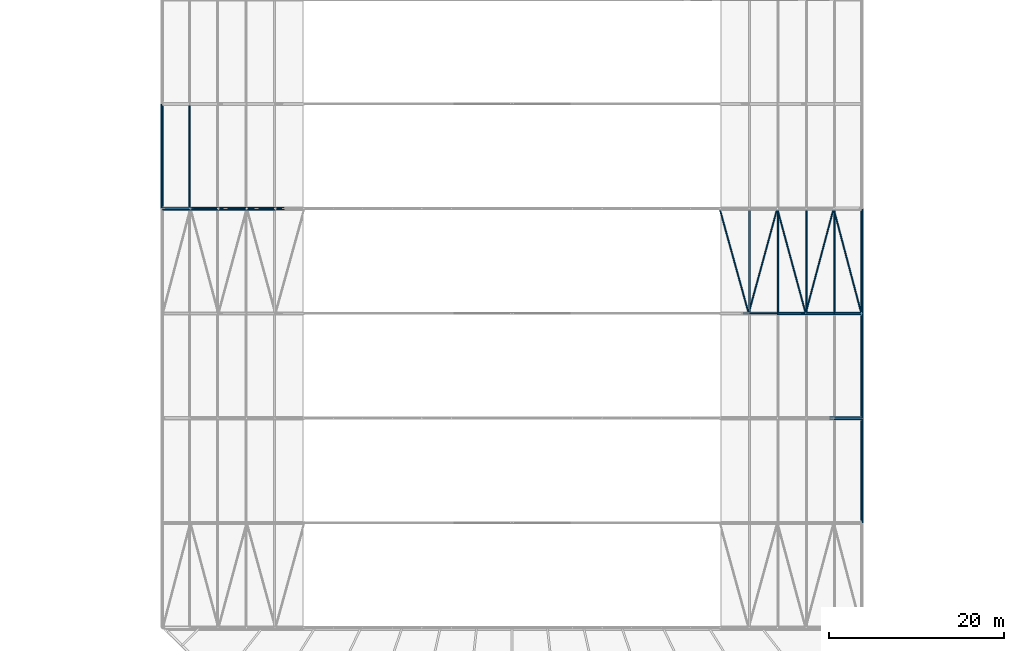
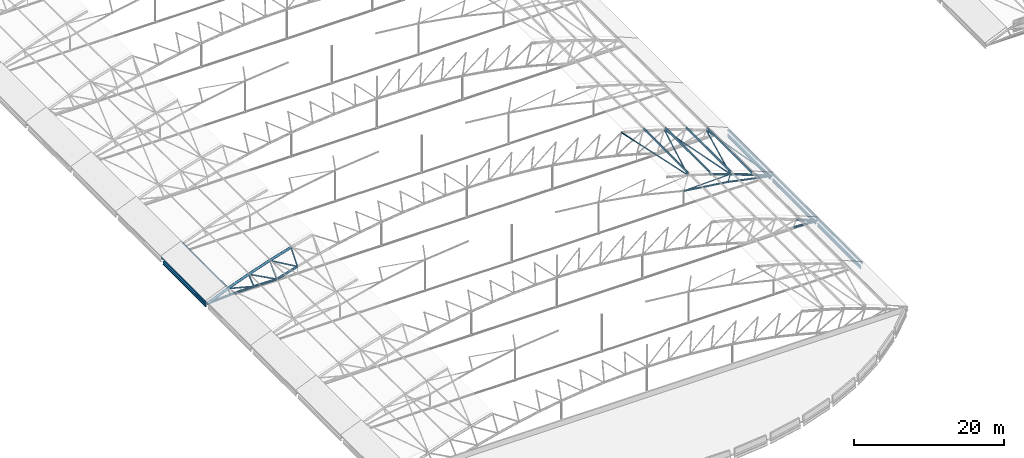
# One storey, part 53 of 321: 38 members, 4 beams.
"""IFC4 building model written with IfcOpenShell, lengths in metres."""

import ifcopenshell
import ifcopenshell.guid

model = None  # the IFC model being written
_history = None  # IfcOwnerHistory: only IFC2X3 demands one
_inside = {}  # id of a spatial element -> (the spatial element, [elements in it])
_under = {}  # id of a project, library or spatial element -> (it, [spatial elements below it])
_declared = {}  # id of a project -> (the project, [libraries it declares])
_typed = {}  # id of a type object -> (the type object, [elements of that type])
_made_of = {}  # id of a material, layer set ... -> (it, [elements and type objects made of it])


def new_model(schema):
    """Start an empty IFC model of exactly this schema.

    Asked for "IFC4X3", IfcOpenShell would pick the latest addendum, in which some entities
    have other attributes; the version numbers below select the first issue.
    IFC2X3 requires an IfcOwnerHistory on every rooted entity: one is made here for all.
    """
    global model, _history
    if schema == "IFC4X3":
        model = ifcopenshell.file(schema_version=(4, 3, 0, 0))
    else:
        model = ifcopenshell.file(schema=schema)
    _inside.clear()
    _under.clear()
    _declared.clear()
    _typed.clear()
    _made_of.clear()
    _history = None
    if model.schema == "IFC2X3":
        org = make("IfcOrganization", Name="unknown")
        user = make(
            "IfcPersonAndOrganization",
            ThePerson=make("IfcPerson", FamilyName="unknown"),
            TheOrganization=org,
        )
        app = make(
            "IfcApplication",
            ApplicationDeveloper=org,
            Version="unknown",
            ApplicationFullName="unknown",
            ApplicationIdentifier="unknown",
        )
        _history = make(
            "IfcOwnerHistory",
            OwningUser=user,
            OwningApplication=app,
            ChangeAction="ADDED",
            CreationDate=0,
        )
    return model


def make(cls, **values):
    """One entity of the class cls with the attributes given. An attribute that is None is left unset."""
    return model.create_entity(
        cls, **{name: value for name, value in values.items() if value is not None}
    )


def rooted(cls, **values):
    """An entity with a GlobalId (a new one), such as an element, a storey or a relation."""
    return make(cls, GlobalId=ifcopenshell.guid.new(), OwnerHistory=_history, **values)


def si_unit(unit_type, name, prefix=None):
    """IfcSIUnit, for example si_unit("LENGTHUNIT", "METRE", prefix="MILLI")."""
    return make("IfcSIUnit", UnitType=unit_type, Prefix=prefix, Name=name)


def assignment(units):
    """IfcUnitAssignment: the units of a project."""
    return None if units is None else make("IfcUnitAssignment", Units=units)


def point(xyz):
    """IfcCartesianPoint."""
    return None if xyz is None else make("IfcCartesianPoint", Coordinates=xyz)


def direction(xyz):
    """IfcDirection."""
    return None if xyz is None else make("IfcDirection", DirectionRatios=xyz)


def frame(location, z_axis=None, x_axis=None):
    """IfcAxis2Placement3D, a coordinate frame: its origin and axes. An axis left out is left unset."""
    return make(
        "IfcAxis2Placement3D",
        Location=point(location),
        Axis=direction(z_axis),
        RefDirection=direction(x_axis),
    )


def frame_2d(location, x_axis=None):
    """IfcAxis2Placement2D, a coordinate frame in the plane: its origin and x axis."""
    return make(
        "IfcAxis2Placement2D", Location=point(location), RefDirection=direction(x_axis)
    )


def origin():
    """The frame at (0, 0, 0) with its axes left unset."""
    return frame((0.0, 0.0, 0.0))


def origin_2d():
    """The frame at (0, 0) in the plane with its x axis left unset."""
    return frame_2d((0.0, 0.0))


def place(relative_to, where):
    """IfcLocalPlacement: puts the frame where relative to a parent placement (None: the world)."""
    return make(
        "IfcLocalPlacement", PlacementRelTo=relative_to, RelativePlacement=where
    )


def context(
    kind, dimensions, precision=None, world=None, true_north=None, identifier=None
):
    """IfcGeometricRepresentationContext, for example the 3D "Model" context."""
    return make(
        "IfcGeometricRepresentationContext",
        ContextIdentifier=identifier,
        ContextType=kind,
        CoordinateSpaceDimension=dimensions,
        Precision=precision,
        WorldCoordinateSystem=world,
        TrueNorth=true_north,
    )


def subcontext(parent, identifier, kind, view, scale=None):
    """IfcGeometricRepresentationSubContext, for example "Body" below "Model"."""
    return make(
        "IfcGeometricRepresentationSubContext",
        ContextIdentifier=identifier,
        ContextType=kind,
        ParentContext=parent,
        TargetScale=scale,
        TargetView=view,
    )


def project(units=None, contexts=None):
    """IfcProject with its units and contexts."""
    return rooted(
        "IfcProject",
        Name="project",
        RepresentationContexts=contexts,
        UnitsInContext=assignment(units),
    )


def spatial(cls, under=None, at=None, **own):
    """A site, building, storey or space (cls), placed at a placement, below another one or the project."""
    s = rooted(cls, ObjectPlacement=at, **own)
    if under is not None:
        _under.setdefault(under.id(), (under, []))[1].append(s)
    return s


def profile(cls, at=None, kind="AREA", **sizes):
    """A parametric profile (cls). Its sizes go by their IFC names, for example OverallWidth=200.0."""
    return make(cls, ProfileType=kind, Position=at, **sizes)


def hollow_circle(**sizes):
    """IfcCircleHollowProfileDef."""
    return profile("IfcCircleHollowProfileDef", **sizes)


def i_section(**sizes):
    """IfcIShapeProfileDef."""
    return profile("IfcIShapeProfileDef", **sizes)


def extrude(swept, where, along, depth):
    """IfcExtrudedAreaSolid: the profile swept, set in the frame where, extruded along a direction by depth."""
    return make(
        "IfcExtrudedAreaSolid",
        SweptArea=swept,
        Position=where,
        ExtrudedDirection=direction(along),
        Depth=depth,
    )


def shape(context_of_items, identifier, shape_type, items):
    """IfcShapeRepresentation: the items that make up one representation, for example the "Body"."""
    return make(
        "IfcShapeRepresentation",
        ContextOfItems=context_of_items,
        RepresentationIdentifier=identifier,
        RepresentationType=shape_type,
        Items=items,
    )


def material(Name=None, Category=None):
    """IfcMaterial."""
    return make("IfcMaterial", Name=Name, Category=Category)


def material_profile(
    of_material, cross_section, Name=None, Category=None, Priority=None
):
    """IfcMaterialProfile: a cross section and its material."""
    return make(
        "IfcMaterialProfile",
        Name=Name,
        Material=of_material,
        Profile=cross_section,
        Priority=Priority,
        Category=Category,
    )


def profile_set(profiles, Name=None, composite=None):
    """IfcMaterialProfileSet."""
    return make(
        "IfcMaterialProfileSet",
        Name=Name,
        MaterialProfiles=profiles,
        CompositeProfile=composite,
    )


def made_of(thing, what):
    """Note that an element or type object is made of a material, layer set ...; save() writes the relation."""
    if what is not None:
        _made_of.setdefault(what.id(), (what, []))[1].append(thing)
    return thing


def type_object(cls, material=None, **own):
    """A type object (cls), such as IfcWallType, which elements share."""
    return made_of(rooted(cls, **own), material)


def element(
    cls,
    number,
    at=None,
    inside=None,
    cuts=None,
    type_object=None,
    material=None,
    context=None,
    identifier="Body",
    shape_type=None,
    held_by="IfcProductDefinitionShape",
    body=None,
    shapes=None,
    **own,
):
    """One element of the class cls, such as IfcWall. Its Tag is "e" and its number.

    at: its placement. inside: the storey or other place that contains it. cuts: it is an
    opening in that element (IfcRelVoidsElement). A single representation is given by context,
    identifier, shape_type and body (its items); several are given by shapes. held_by: the class
    of the entity that holds the representations. save() writes the other relations.
    """
    e = rooted(cls, Tag="e%d" % number, ObjectPlacement=at, **own)
    if body is not None:
        shapes = [shape(context, identifier, shape_type, body)]
    if shapes is not None:
        e.Representation = make(held_by, Representations=shapes)
    if inside is not None:
        _inside.setdefault(inside.id(), (inside, []))[1].append(e)
    if cuts is not None:
        rooted(
            "IfcRelVoidsElement", RelatingBuildingElement=cuts, RelatedOpeningElement=e
        )
    if type_object is not None:
        _typed.setdefault(type_object.id(), (type_object, []))[1].append(e)
    return made_of(e, material)


def aggregate(whole, parts):
    """IfcRelAggregates: a whole, such as a stair, and the parts it consists of."""
    return rooted("IfcRelAggregates", RelatingObject=whole, RelatedObjects=parts)


def save(model, path):
    """Write the relations noted so far, then the file.

    IfcRelAggregates (storeys below a building ...), IfcRelContainedInSpatialStructure (elements
    in a storey), IfcRelDefinesByType, IfcRelAssociatesMaterial and IfcRelDeclares: one each for
    every whole, place, type object, material and project.
    """
    for whole, parts in _under.values():
        aggregate(whole, parts)
    for where, things in _inside.values():
        rooted(
            "IfcRelContainedInSpatialStructure",
            RelatedElements=things,
            RelatingStructure=where,
        )
    for kind, things in _typed.values():
        rooted("IfcRelDefinesByType", RelatedObjects=things, RelatingType=kind)
    for what, things in _made_of.values():
        rooted("IfcRelAssociatesMaterial", RelatedObjects=things, RelatingMaterial=what)
    for by, libraries in _declared.values():
        rooted("IfcRelDeclares", RelatingContext=by, RelatedDefinitions=libraries)
    model.write(path)


model = new_model("IFC4")

# Units and contexts
model_context = context("Model", 3, precision=1e-05, world=origin(), true_north=direction((0.0, 1.0)))
body_context = subcontext(model_context, "Body", "Model", "MODEL_VIEW")
ifc_project = project(units=[si_unit("LENGTHUNIT", "METRE"), si_unit("AREAUNIT", "SQUARE_METRE"), si_unit("VOLUMEUNIT", "CUBIC_METRE"), si_unit("PLANEANGLEUNIT", "RADIAN"), si_unit("MASSUNIT", "GRAM", prefix="KILO")], contexts=[model_context])

# Site, building, storey
site_placement = place(None, origin())
site = spatial("IfcSite", under=ifc_project, at=site_placement, CompositionType="ELEMENT")
building_placement = place(site_placement, origin())
building = spatial("IfcBuilding", under=site, at=building_placement, Name="Ravi Spectrum Wholesale Market", CompositionType="ELEMENT")
storey_placement = place(building_placement, frame((0.0, 0.0, 10.800048828125)))
storey = spatial("IfcBuildingStorey", under=building, at=storey_placement, Name="L02", CompositionType="ELEMENT", Elevation=10.800048828125)

# Members
ifc_material_1 = material(Name="Steel S355", Category="steel")
ifc_material_profile_1 = material_profile(ifc_material_1, hollow_circle(Radius=0.06982421875, WallThickness=0.0048828125, at=origin_2d()))
ifc_profile_set_1 = profile_set([ifc_material_profile_1], Name="Steel S355")
member_type_1 = type_object("IfcMemberType", Name="CHS 139.7x5 post", PredefinedType="POST", material=ifc_profile_set_1)
member_1_placement = place(storey_placement, frame((103.636962890625, 66.0, 2.56494140625), z_axis=(-0.338114270461, 0.0, -0.941105063269), x_axis=(0.0, -1.0, 0.0)))
element("IfcMember", 1, at=member_1_placement, inside=storey, type_object=member_type_1, Name="H1-MB-L02-308", PredefinedType="POST", context=body_context, shape_type="SweptSolid", body=[
    extrude(hollow_circle(Radius=0.06982421875, WallThickness=0.0048828125, at=origin_2d()), origin(), (0.0, 0.0, 1.0), 1.199951171875),
])
ifc_material_2 = material(Name="Steel S355", Category="steel")
ifc_material_profile_2 = material_profile(ifc_material_2, hollow_circle(Radius=0.084228515625, WallThickness=0.00634765625, at=origin_2d()))
ifc_profile_set_2 = profile_set([ifc_material_profile_2], Name="Steel S355")
member_type_2 = type_object("IfcMemberType", Name="CHS 168.3x6.3 brace", PredefinedType="BRACE", material=ifc_profile_set_2)
member_2_placement = place(storey_placement, frame((103.636962890625, 66.0, 2.56494140625), z_axis=(-0.999561599338, 0.0, -0.029607585673), x_axis=(0.0, -1.0, 0.0)))
element("IfcMember", 2, at=member_2_placement, inside=storey, type_object=member_type_2, Name="H1-MB-L02-318", PredefinedType="BRACE", context=body_context, shape_type="SweptSolid", body=[
    extrude(hollow_circle(Radius=0.084228515625, WallThickness=0.00634765625, at=origin_2d()), origin(), (0.0, 0.0, 1.0), 7.1904296875),
])
ifc_material_3 = material(Name="Steel S355", Category="steel")
ifc_material_profile_3 = material_profile(ifc_material_3, hollow_circle(Radius=0.096923828125, WallThickness=0.00634765625, at=origin_2d()))
ifc_profile_set_3 = profile_set([ifc_material_profile_3], Name="Steel S355")
member_type_3 = type_object("IfcMemberType", Name="CHS 193.7x6.3 brace", PredefinedType="BRACE", material=ifc_profile_set_3)
for number, where, z_axis, x_axis, name in (
    (3, (93.78076171875, 78.0, 5.514404296875), (0.26624914117, -0.961478053543, -0.068347255841), (0.963731651121, 0.266873199532, 0.0), "H1-MB-L02-1627"),
    (4, (97.103759765625, 66.0, 4.661376953125), (0.262551801783, 0.961477139117, -0.08141414089), (-0.964679529004, 0.263426282517, 0.0), "H1-MB-L02-1628"),
    (5, (100.380615234375, 78.0, 3.645263671875), (0.260908126195, -0.961475200084, -0.086558588875), (0.965097440522, 0.261891065708, 0.0), "H1-MB-L02-1629"),
):
    element("IfcMember", number, at=place(storey_placement, frame(where, z_axis=z_axis, x_axis=x_axis)), inside=storey, type_object=member_type_3, Name=name, PredefinedType="BRACE", context=body_context, shape_type="SweptSolid", body=[
        extrude(hollow_circle(Radius=0.096923828125, WallThickness=0.00634765625, at=origin_2d()), origin(), (0.0, 0.0, 1.0), 12.480712890625),
    ])
member_3_placement = place(storey_placement, frame((103.636962890625, 66.0, 2.56494140625), z_axis=(0.256330404397, 0.961473751291, -0.099312382717), x_axis=(-0.966250599295, 0.257603919539, 0.0)))
element("IfcMember", 6, at=member_3_placement, inside=storey, type_object=member_type_3, Name="H1-MB-L02-1630", PredefinedType="BRACE", context=body_context, shape_type="SweptSolid", body=[
    extrude(hollow_circle(Radius=0.096923828125, WallThickness=0.00634765625, at=origin_2d()), origin(), (0.0, 0.0, 1.0), 12.48095703125),
])
member_4_placement = place(storey_placement, frame((106.836181640625, 78.0, 1.325439453125), z_axis=(0.254316239018, -0.961476177233, -0.104339883003), x_axis=(0.966753007225, 0.255711992329, 0.0)))
element("IfcMember", 7, at=member_4_placement, inside=storey, type_object=member_type_3, Name="H1-MB-L02-1631", PredefinedType="BRACE", context=body_context, shape_type="SweptSolid", body=[
    extrude(hollow_circle(Radius=0.096923828125, WallThickness=0.00634765625, at=origin_2d()), origin(), (0.0, 0.0, 1.0), 12.480712890625),
])
ifc_material_4 = material(Name="Steel S355", Category="steel")
ifc_material_profile_4 = material_profile(ifc_material_4, hollow_circle(Radius=0.109619140625, WallThickness=0.008056640625, at=origin_2d()))
ifc_profile_set_4 = profile_set([ifc_material_profile_4], Name="Steel S355")
member_type_4 = type_object("IfcMemberType", Name="CHS 219.1x8 brace", PredefinedType="BRACE", material=ifc_profile_set_4)
member_5_placement = place(storey_placement, frame((33.163818359375, 78.0, 1.325439453125), z_axis=(0.967942387937, 0.0, -0.251172318609), x_axis=(0.0, 1.0, 0.0)))
element("IfcMember", 8, at=member_5_placement, inside=storey, type_object=member_type_4, Name="H1-MB-L02-396", PredefinedType="BRACE", context=body_context, shape_type="SweptSolid", body=[
    extrude(hollow_circle(Radius=0.109619140625, WallThickness=0.008056640625, at=origin_2d()), origin(), (0.0, 0.0, 1.0), 4.15234375),
])
for number, where, z_axis, x_axis, name in (
    (9, (36.37158203125, 78.0, 2.541015625), (0.881933088563, 0.0, -0.471374614608), (0.0, 1.0, 0.0), "H1-MB-L02-397"),
    (10, (39.619384765625, 78.0, 3.645263671875), (0.865160555252, 0.0, -0.501494978675), (0.0, 1.0, 0.0), "H1-MB-L02-398"),
):
    element("IfcMember", number, at=place(storey_placement, frame(where, z_axis=z_axis, x_axis=x_axis)), inside=storey, type_object=member_type_4, Name=name, PredefinedType="BRACE", context=body_context, shape_type="SweptSolid", body=[
        extrude(hollow_circle(Radius=0.109619140625, WallThickness=0.008056640625, at=origin_2d()), origin(), (0.0, 0.0, 1.0), 4.9296875),
    ])
ifc_material_5 = material(Name="Steel S355", Category="steel")
ifc_material_profile_5 = material_profile(ifc_material_5, hollow_circle(Radius=0.109619140625, WallThickness=0.008056640625, at=origin_2d()))
ifc_profile_set_5 = profile_set([ifc_material_profile_5], Name="Steel S355")
member_type_5 = type_object("IfcMemberType", Name="CHS 219.1x8 post", PredefinedType="POST", material=ifc_profile_set_5)
member_6_placement = place(storey_placement, frame((33.163818359375, 78.0, 1.325439453125), z_axis=(0.370513497528, 0.0, -0.928827081942), x_axis=(0.0, 1.0, 0.0)))
element("IfcMember", 11, at=member_6_placement, inside=storey, type_object=member_type_5, Name="H1-MB-L02-373", PredefinedType="POST", context=body_context, shape_type="SweptSolid", body=[
    extrude(hollow_circle(Radius=0.109619140625, WallThickness=0.008056640625, at=origin_2d()), origin(), (0.0, 0.0, 1.0), 1.199951171875),
])
member_7_placement = place(storey_placement, frame((36.37158203125, 78.0, 2.541015625), z_axis=(0.338146640483, 0.0, -0.941093432944), x_axis=(0.0, 1.0, 0.0)))
element("IfcMember", 12, at=member_7_placement, inside=storey, type_object=member_type_5, Name="H1-MB-L02-374", PredefinedType="POST", context=body_context, shape_type="SweptSolid", body=[
    extrude(hollow_circle(Radius=0.109619140625, WallThickness=0.008056640625, at=origin_2d()), origin(), (0.0, 0.0, 1.0), 2.39990234375),
])
member_8_placement = place(storey_placement, frame((39.619384765625, 78.0, 3.645263671875), z_axis=(0.305506444581, 0.0, -0.952190008517), x_axis=(0.0, 1.0, 0.0)))
element("IfcMember", 13, at=member_8_placement, inside=storey, type_object=member_type_5, Name="H1-MB-L02-375", PredefinedType="POST", context=body_context, shape_type="SweptSolid", body=[
    extrude(hollow_circle(Radius=0.109619140625, WallThickness=0.008056640625, at=origin_2d()), origin(), (0.0, 0.0, 1.0), 3.60009765625),
])
member_9_placement = place(storey_placement, frame((42.903076171875, 78.0, 4.63671875), z_axis=(0.272561766134, 0.0, -0.962138287172), x_axis=(0.0, 1.0, 0.0)))
element("IfcMember", 14, at=member_9_placement, inside=storey, type_object=member_type_5, Name="H1-MB-L02-376", PredefinedType="POST", context=body_context, shape_type="SweptSolid", body=[
    extrude(hollow_circle(Radius=0.109619140625, WallThickness=0.008056640625, at=origin_2d()), origin(), (0.0, 0.0, 1.0), 3.599853515625),
])
ifc_material_6 = material(Name="Steel S355", Category="steel")
ifc_material_profile_6 = material_profile(ifc_material_6, hollow_circle(Radius=0.136474609375, WallThickness=0.010009765625, at=origin_2d()))
ifc_profile_set_6 = profile_set([ifc_material_profile_6], Name="Steel S355")
member_type_6 = type_object("IfcMemberType", Name="CHS 273x10 chord", PredefinedType="CHORD", material=ifc_profile_set_6)
member_10_placement = place(storey_placement, frame((96.44970703125, 66.0, 2.35205078125), z_axis=(0.990990766788, 0.0, -0.133930206233), x_axis=(0.0, 1.0, 0.0)))
element("IfcMember", 15, at=member_10_placement, inside=storey, type_object=member_type_6, Name="H1-MB-L02-296", PredefinedType="CHORD", context=body_context, shape_type="SweptSolid", body=[
    extrude(hollow_circle(Radius=0.136474609375, WallThickness=0.010009765625, at=origin_2d()), origin(), (0.0, 0.0, 1.0), 6.84326171875),
])
member_11_placement = place(storey_placement, frame((103.231201171875, 66.0, 1.435546875), z_axis=(0.978978953118, 0.0, -0.203961293758), x_axis=(0.0, 1.0, 0.0)))
element("IfcMember", 16, at=member_11_placement, inside=storey, type_object=member_type_6, Name="H1-MB-L02-297", PredefinedType="CHORD", context=body_context, shape_type="SweptSolid", body=[
    extrude(hollow_circle(Radius=0.136474609375, WallThickness=0.010009765625, at=origin_2d()), origin(), (0.0, 0.0, 1.0), 6.924560546875),
])
ifc_material_7 = material(Name="Steel S355", Category="steel")
ifc_material_profile_7 = material_profile(ifc_material_7, hollow_circle(Radius=0.177734375, WallThickness=0.012451171875, at=origin_2d()))
ifc_profile_set_7 = profile_set([ifc_material_profile_7], Name="Steel S355")
member_type_7 = type_object("IfcMemberType", Name="CHS 355.6x12.5 chord", PredefinedType="CHORD", material=ifc_profile_set_7)
member_12_placement = place(storey_placement, frame((106.3916015625, 54.0, 0.2109375), z_axis=(0.998295734367, 0.0, -0.058357747936), x_axis=(0.0, 1.0, 0.0)))
element("IfcMember", 17, at=member_12_placement, inside=storey, type_object=member_type_7, Name="H1-MB-L02-210", PredefinedType="CHORD", context=body_context, shape_type="SweptSolid", body=[
    extrude(hollow_circle(Radius=0.177734375, WallThickness=0.012451171875, at=origin_2d()), origin(), (0.0, 0.0, 1.0), 3.614501953125),
])
for number, where, z_axis, x_axis, name in (
    (18, (100.388427734375, 66.0, 3.66943359375), (0.946773612235, 0.0, -0.321900182005), (0.0, 1.0, 0.0), "H1-MB-L02-283"),
    (19, (103.636962890625, 66.0, 2.56494140625), (0.935113010382, 0.0, -0.354349626518), (0.0, 1.0, 0.0), "H1-MB-L02-284"),
):
    element("IfcMember", number, at=place(storey_placement, frame(where, z_axis=z_axis, x_axis=x_axis)), inside=storey, type_object=member_type_7, Name=name, PredefinedType="CHORD", context=body_context, shape_type="SweptSolid", body=[
        extrude(hollow_circle(Radius=0.177734375, WallThickness=0.012451171875, at=origin_2d()), origin(), (0.0, 0.0, 1.0), 3.43115234375),
    ])
member_13_placement = place(storey_placement, frame((106.845458984375, 66.0, 1.34912109375), z_axis=(0.922323660423, 0.0, -0.386418251929), x_axis=(0.0, 1.0, 0.0)))
element("IfcMember", 20, at=member_13_placement, inside=storey, type_object=member_type_7, Name="H1-MB-L02-285", PredefinedType="CHORD", context=body_context, shape_type="SweptSolid", body=[
    extrude(hollow_circle(Radius=0.177734375, WallThickness=0.012451171875, at=origin_2d()), origin(), (0.0, 0.0, 1.0), 3.431396484375),
])
member_14_placement = place(storey_placement, frame((30.0, 78.0, 0.0), z_axis=(0.998295734367, 0.0, 0.058357747936), x_axis=(0.0, 1.0, 0.0)))
element("IfcMember", 21, at=member_14_placement, inside=storey, type_object=member_type_7, Name="H1-MB-L02-349", PredefinedType="CHORD", context=body_context, shape_type="SweptSolid", body=[
    extrude(hollow_circle(Radius=0.177734375, WallThickness=0.012451171875, at=origin_2d()), origin(), (0.0, 0.0, 1.0), 3.614501953125),
])
member_15_placement = place(storey_placement, frame((33.6083984375, 78.0, 0.2109375), z_axis=(0.999799841502, 0.0, 0.020006922112), x_axis=(0.0, 1.0, 0.0)))
element("IfcMember", 22, at=member_15_placement, inside=storey, type_object=member_type_7, Name="H1-MB-L02-350", PredefinedType="CHORD", context=body_context, shape_type="SweptSolid", body=[
    extrude(hollow_circle(Radius=0.177734375, WallThickness=0.012451171875, at=origin_2d()), origin(), (0.0, 0.0, 1.0), 3.575439453125),
])
member_16_placement = place(storey_placement, frame((37.18310546875, 78.0, 0.282470703125), z_axis=(0.999830134639, 0.0, -0.018431002896), x_axis=(0.0, 1.0, 0.0)))
element("IfcMember", 23, at=member_16_placement, inside=storey, type_object=member_type_7, Name="H1-MB-L02-351", PredefinedType="CHORD", context=body_context, shape_type="SweptSolid", body=[
    extrude(hollow_circle(Radius=0.177734375, WallThickness=0.012451171875, at=origin_2d()), origin(), (0.0, 0.0, 1.0), 3.53662109375),
])
member_17_placement = place(storey_placement, frame((40.71923828125, 78.0, 0.21728515625), z_axis=(0.957300337613, 0.0, 0.289095250058), x_axis=(0.0, 1.0, 0.0)))
element("IfcMember", 24, at=member_17_placement, inside=storey, type_object=member_type_7, Name="H1-MB-L02-352", PredefinedType="CHORD", context=body_context, shape_type="SweptSolid", body=[
    extrude(hollow_circle(Radius=0.177734375, WallThickness=0.012451171875, at=origin_2d()), origin(), (0.0, 0.0, 1.0), 3.30615234375),
])
ifc_material_8 = material(Name="Steel S355", Category="steel")
ifc_material_profile_8 = material_profile(ifc_material_8, hollow_circle(Radius=0.203125, WallThickness=0.01611328125, at=origin_2d()))
ifc_profile_set_8 = profile_set([ifc_material_profile_8], Name="Steel S355")
member_type_8 = type_object("IfcMemberType", Name="CHS 406.4x16 chord", PredefinedType="CHORD", material=ifc_profile_set_8)
for number, where, z_axis, x_axis, name in (
    (25, (106.836181640625, 54.0, 1.325439453125), (0.922331882778, 0.0, -0.386398625789), (0.0, 1.0, 0.0), "H1-MB-L02-186"),
    (26, (30.0, 78.0, 0.0), (0.922331882778, 0.0, 0.386398625789), (0.0, 1.0, 0.0), "H1-MB-L02-325"),
):
    element("IfcMember", number, at=place(storey_placement, frame(where, z_axis=z_axis, x_axis=x_axis)), inside=storey, type_object=member_type_8, Name=name, PredefinedType="CHORD", context=body_context, shape_type="SweptSolid", body=[
        extrude(hollow_circle(Radius=0.203125, WallThickness=0.01611328125, at=origin_2d()), origin(), (0.0, 0.0, 1.0), 3.43017578125),
    ])
for number, where, z_axis, x_axis, name in (
    (27, (33.163818359375, 78.0, 1.325439453125), (0.935109783896, 0.0, 0.354358140956), (0.0, 1.0, 0.0), "H1-MB-L02-326"),
    (28, (36.37158203125, 78.0, 2.541015625), (0.946773178626, 0.0, 0.321901457335), (0.0, 1.0, 0.0), "H1-MB-L02-327"),
):
    element("IfcMember", number, at=place(storey_placement, frame(where, z_axis=z_axis, x_axis=x_axis)), inside=storey, type_object=member_type_8, Name=name, PredefinedType="CHORD", context=body_context, shape_type="SweptSolid", body=[
        extrude(hollow_circle(Radius=0.203125, WallThickness=0.01611328125, at=origin_2d()), origin(), (0.0, 0.0, 1.0), 3.430419921875),
    ])
member_18_placement = place(storey_placement, frame((39.619384765625, 78.0, 3.645263671875), z_axis=(0.957315448633, 0.0, 0.289045207204), x_axis=(0.0, 1.0, 0.0)))
element("IfcMember", 29, at=member_18_placement, inside=storey, type_object=member_type_8, Name="H1-MB-L02-328", PredefinedType="CHORD", context=body_context, shape_type="SweptSolid", body=[
    extrude(hollow_circle(Radius=0.203125, WallThickness=0.01611328125, at=origin_2d()), origin(), (0.0, 0.0, 1.0), 3.43017578125),
])
ifc_material_9 = material(Name="Steel S355", Category="steel")
ifc_material_profile_9 = material_profile(ifc_material_9, i_section(OverallWidth=0.135009765625, OverallDepth=0.27001953125, WebThickness=0.006591796875, FlangeThickness=0.01025390625, at=origin_2d()))
ifc_profile_set_9 = profile_set([ifc_material_profile_9], Name="Steel S355")
member_type_9 = type_object("IfcMemberType", Name="IPE 270 purlin", PredefinedType="PURLIN", material=ifc_profile_set_9)
for number, where, z_axis, x_axis, name in (
    (30, (110.135986328125, 42.0, 0.3095703125), (0.0, 1.0, 0.0), (-0.915525334521, 0.0, 0.402260316027), "H1-MB-L02-1283"),
    (31, (110.135986328125, 54.0, 0.3095703125), (0.0, 1.0, 0.0), (-0.915525334521, 0.0, 0.402260316027), "H1-MB-L02-1308"),
    (32, (97.18896484375, 66.0, 4.962158203125), (0.0, 1.0, 0.0), (-0.96215600485, 0.0, 0.272499215286), "H1-MB-L02-1329"),
    (33, (100.484130859375, 66.0, 3.96728515625), (0.0, 1.0, 0.0), (-0.952184497174, 0.0, 0.305523621577), "H1-MB-L02-1330"),
    (34, (103.74267578125, 66.0, 2.859375), (0.0, 1.0, 0.0), (-0.941079849597, 0.0, 0.338184441811), "H1-MB-L02-1331"),
    (35, (106.96142578125, 66.0, 1.6396484375), (0.0, 1.0, 0.0), (-0.928855283584, 0.0, 0.370442792017), "H1-MB-L02-1332"),
    (36, (110.135986328125, 66.0, 0.3095703125), (0.0, 1.0, 0.0), (-0.915525334521, 0.0, 0.402260316027), "H1-MB-L02-1333"),
    (37, (29.864013671875, 78.0, 0.3095703125), (0.0, 1.0, 0.0), (-0.915525334521, 0.0, -0.402260316027), "H1-MB-L02-1334"),
    (38, (33.03857421875, 78.0, 1.6396484375), (0.0, 1.0, 0.0), (-0.928855283584, 0.0, -0.370442792017), "H1-MB-L02-1335"),
):
    element("IfcMember", number, at=place(storey_placement, frame(where, z_axis=z_axis, x_axis=x_axis)), inside=storey, type_object=member_type_9, Name=name, PredefinedType="PURLIN", context=body_context, shape_type="SweptSolid", body=[
        extrude(i_section(OverallWidth=0.135009765625, OverallDepth=0.27001953125, WebThickness=0.006591796875, FlangeThickness=0.01025390625, at=origin_2d()), origin(), (0.0, 0.0, 1.0), 12.0),
    ])

# Beams
ifc_material_10 = material(Name="Steel S355", Category="steel")
ifc_material_profile_10 = material_profile(ifc_material_10, i_section(OverallWidth=0.199951171875, OverallDepth=0.5, WebThickness=0.01025390625, FlangeThickness=0.01611328125, at=origin_2d()))
ifc_profile_set_10 = profile_set([ifc_material_profile_10], Name="Steel S355")
beam_type = type_object("IfcBeamType", Name="IPE 500 girder", PredefinedType="BEAM", material=ifc_profile_set_10)
for number, where, z_axis, x_axis, name in (
    (39, (30.0, 78.25390625, -0.449951171875), (0.0, 1.0, 0.0), (-1.0, 0.0, 0.0), "H1-BM-L02-005"),
    (40, (110.0, 42.25390625, -0.449951171875), (0.0, 1.0, 0.0), (-1.0, 0.0, 0.0), "H1-BM-L02-016"),
    (41, (110.0, 54.25390625, -0.449951171875), (0.0, 1.0, 0.0), (-1.0, 0.0, 0.0), "H1-BM-L02-017"),
    (42, (110.0, 66.25390625, -0.449951171875), (0.0, 1.0, 0.0), (-1.0, 0.0, 0.0), "H1-BM-L02-018"),
):
    element("IfcBeam", number, at=place(storey_placement, frame(where, z_axis=z_axis, x_axis=x_axis)), inside=storey, type_object=beam_type, Name=name, PredefinedType="BEAM", context=body_context, shape_type="SweptSolid", body=[
        extrude(i_section(OverallWidth=0.199951171875, OverallDepth=0.5, WebThickness=0.01025390625, FlangeThickness=0.01611328125, at=origin_2d()), origin(), (0.0, 0.0, 1.0), 11.4921875),
    ])

save(model, "model.ifc")
